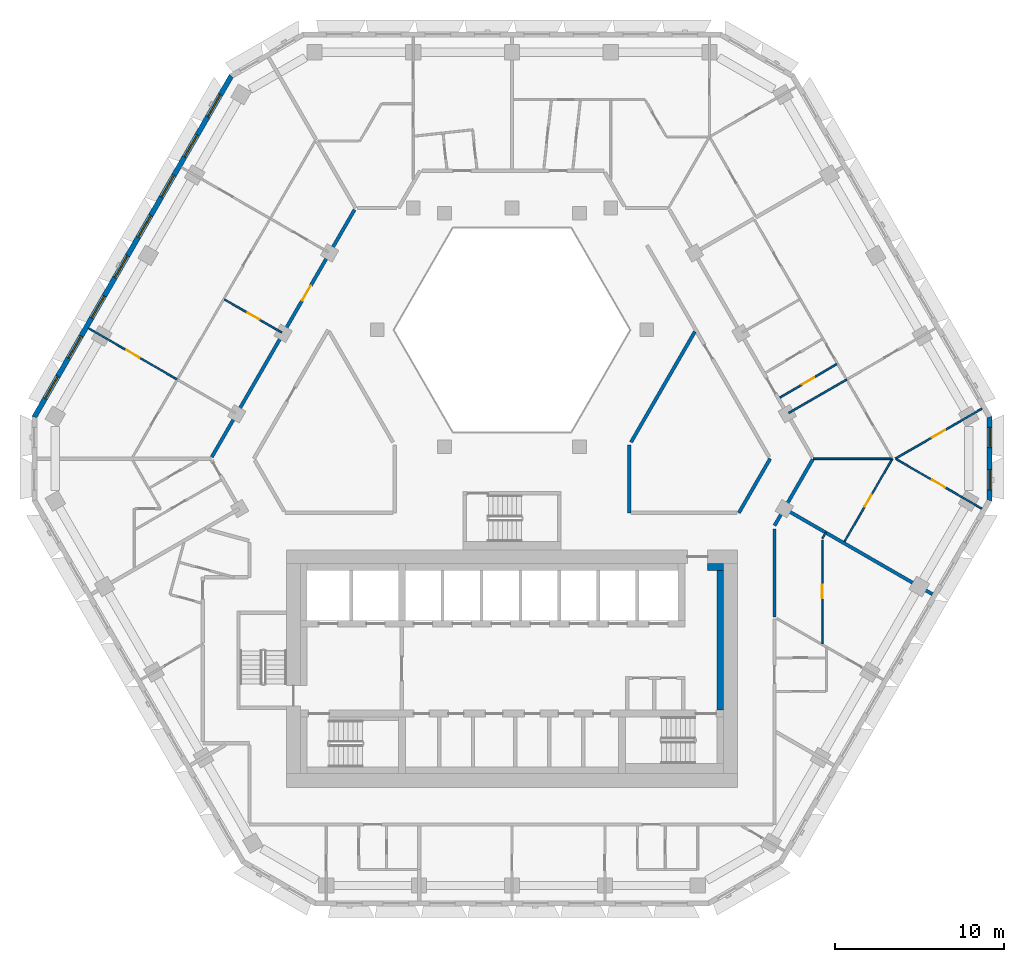
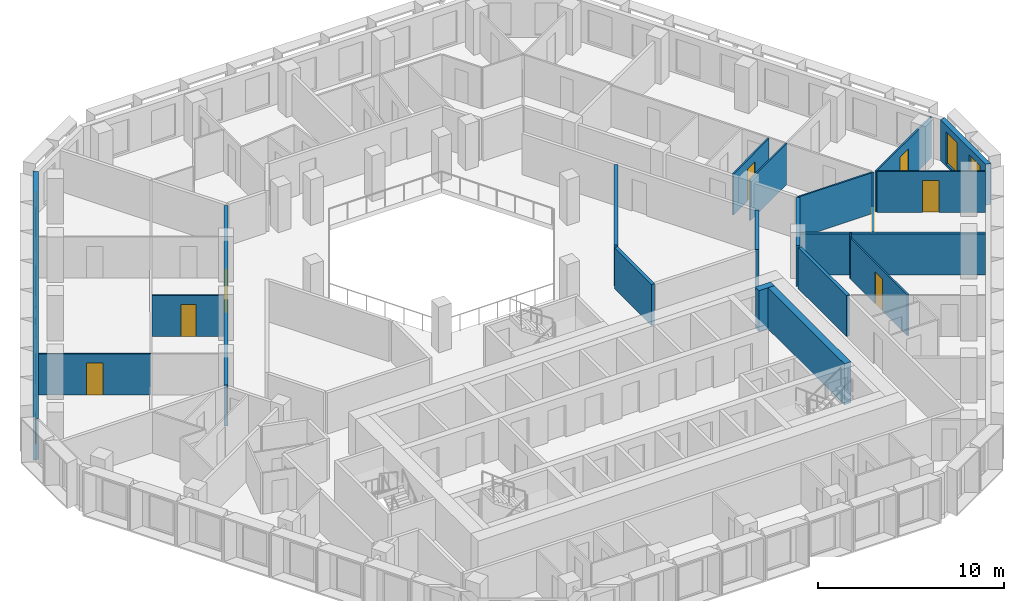
# One storey, part 7 of 18: 21 walls, 10 windows, 8 doors, 18 openings.
"""IFC4 building model written with IfcOpenShell, lengths in metres."""

from ifc_helpers import new_model, si_unit, direction, frame, frame_2d, origin, place, context, subcontext, project, spatial, polyline, rectangle, outline, extrude, material, layer, layer_set, type_object, element, fill, save


model = new_model("IFC4")

# Units and contexts
model_context = context("Model", 3, precision=1e-05, world=origin(), true_north=direction((0.0, 1.0)))
body_context = subcontext(model_context, "Body", "Model", "MODEL_VIEW")
ifc_project = project(units=[si_unit("LENGTHUNIT", "METRE"), si_unit("AREAUNIT", "SQUARE_METRE"), si_unit("VOLUMEUNIT", "CUBIC_METRE"), si_unit("PLANEANGLEUNIT", "RADIAN"), si_unit("MASSUNIT", "GRAM", prefix="KILO")], contexts=[model_context])

# Site, building, storey
site_placement = place(None, origin())
site = spatial("IfcSite", under=ifc_project, at=site_placement, CompositionType="ELEMENT")
building_placement = place(site_placement, origin())
building = spatial("IfcBuilding", under=site, at=building_placement, Name="Beryl Residences", CompositionType="ELEMENT")
storey_placement = place(building_placement, frame((0.0, 0.0, 138.60009765625)))
storey = spatial("IfcBuildingStorey", under=building, at=storey_placement, Name="L42", CompositionType="ELEMENT", Elevation=138.60009765625)

# Wall, openings, windows
ifc_material_1 = material(Name="Composite metal panel with mineral wool insulation")
ifc_layer_1 = layer(ifc_material_1, 0.300048828125)
ifc_layer_set_1 = layer_set([ifc_layer_1], Name="ES1 pale metal composite panel wall 300 mm")
wall_type_1 = type_object("IfcWallType", Name="ES1 pale metal composite panel wall 300 mm", PredefinedType="SOLIDWALL", material=ifc_layer_set_1)
wall_1_placement = place(storey_placement, frame((-16.554931640625, 23.02490234375, 0.0), z_axis=(0.0, 0.0, 1.0), x_axis=(-0.500020536353, -0.866013546791, 0.0)))
wall_1 = element("IfcWall", 1, at=wall_1_placement, inside=storey, type_object=wall_type_1, Name="ES1 external wall L42 NW", PredefinedType="SOLIDWALL", context=body_context, shape_type="SweptSolid", body=[
    extrude(outline(polyline([(0.0, -0.14990234375), (23.3251953125, -0.14990234375), (23.244873046875, 0.14990234375), (0.080322265625, 0.14990234375), (0.0, -0.14990234375)])), origin(), (0.0, 0.0, 1.0), 2.699951171875),
])
opening_1_placement = place(wall_1_placement, frame((1.31396484375, 0.0, 0.14990234375)))
opening_1 = element("IfcOpeningElement", 2, at=opening_1_placement, cuts=wall_1, Name="Opening W1", PredefinedType="OPENING", context=body_context, shape_type="SweptSolid", body=[
    extrude(rectangle(XDim=1.5, YDim=2.10009765625, at=frame_2d((0.75, 1.050048828125))), frame((0.0, 0.159912109375, 0.0), z_axis=(0.0, -1.0, 0.0), x_axis=(1.0, 0.0, 0.0)), (0.0, 0.0, 1.0), 0.320068359375),
])
opening_2_placement = place(wall_1_placement, frame((4.055908203125, 0.0, 0.14990234375)))
opening_2 = element("IfcOpeningElement", 3, at=opening_2_placement, cuts=wall_1, Name="Opening W1", PredefinedType="OPENING", context=body_context, shape_type="SweptSolid", body=[
    extrude(rectangle(XDim=1.5, YDim=2.10009765625, at=frame_2d((0.75, 1.050048828125))), frame((0.0, 0.159912109375, 0.0), z_axis=(0.0, -1.0, 0.0), x_axis=(1.0, 0.0, 0.0)), (0.0, 0.0, 1.0), 0.320068359375),
])
opening_3_placement = place(wall_1_placement, frame((6.799072265625, 0.0, 0.14990234375)))
opening_3 = element("IfcOpeningElement", 4, at=opening_3_placement, cuts=wall_1, Name="Opening W1", PredefinedType="OPENING", context=body_context, shape_type="SweptSolid", body=[
    extrude(rectangle(XDim=1.5, YDim=2.10009765625, at=frame_2d((0.75, 1.050048828125))), frame((0.0, 0.159912109375, 0.0), z_axis=(0.0, -1.0, 0.0), x_axis=(1.0, 0.0, 0.0)), (0.0, 0.0, 1.0), 0.320068359375),
])
opening_4_placement = place(wall_1_placement, frame((9.541015625, 0.0, 0.14990234375)))
opening_4 = element("IfcOpeningElement", 5, at=opening_4_placement, cuts=wall_1, Name="Opening W1", PredefinedType="OPENING", context=body_context, shape_type="SweptSolid", body=[
    extrude(rectangle(XDim=1.5, YDim=2.10009765625, at=frame_2d((0.75, 1.050048828125))), frame((0.0, 0.159912109375, 0.0), z_axis=(0.0, -1.0, 0.0), x_axis=(1.0, 0.0, 0.0)), (0.0, 0.0, 1.0), 0.320068359375),
])
opening_5_placement = place(wall_1_placement, frame((12.284912109375, 0.0, 0.14990234375)))
opening_5 = element("IfcOpeningElement", 6, at=opening_5_placement, cuts=wall_1, Name="Opening W1", PredefinedType="OPENING", context=body_context, shape_type="SweptSolid", body=[
    extrude(rectangle(XDim=1.5, YDim=2.10009765625, at=frame_2d((0.75, 1.050048828125))), frame((0.0, 0.159912109375, 0.0), z_axis=(0.0, -1.0, 0.0), x_axis=(1.0, 0.0, 0.0)), (0.0, 0.0, 1.0), 0.320068359375),
])
opening_6_placement = place(wall_1_placement, frame((15.027099609375, 0.0, 0.14990234375)))
opening_6 = element("IfcOpeningElement", 7, at=opening_6_placement, cuts=wall_1, Name="Opening W1", PredefinedType="OPENING", context=body_context, shape_type="SweptSolid", body=[
    extrude(rectangle(XDim=1.5, YDim=2.10009765625, at=frame_2d((0.75, 1.050048828125))), frame((0.0, 0.159912109375, 0.0), z_axis=(0.0, -1.0, 0.0), x_axis=(1.0, 0.0, 0.0)), (0.0, 0.0, 1.0), 0.320068359375),
])
opening_7_placement = place(wall_1_placement, frame((17.76904296875, 0.0, 0.14990234375)))
opening_7 = element("IfcOpeningElement", 8, at=opening_7_placement, cuts=wall_1, Name="Opening W1", PredefinedType="OPENING", context=body_context, shape_type="SweptSolid", body=[
    extrude(rectangle(XDim=1.5, YDim=2.10009765625, at=frame_2d((0.75, 1.050048828125))), frame((0.0, 0.159912109375, 0.0), z_axis=(0.0, -1.0, 0.0), x_axis=(1.0, 0.0, 0.0)), (0.0, 0.0, 1.0), 0.320068359375),
])
opening_8_placement = place(wall_1_placement, frame((20.511962890625, 0.0, 0.14990234375)))
opening_8 = element("IfcOpeningElement", 9, at=opening_8_placement, cuts=wall_1, Name="Opening W1", PredefinedType="OPENING", context=body_context, shape_type="SweptSolid", body=[
    extrude(rectangle(XDim=1.5, YDim=2.10009765625, at=frame_2d((0.75, 1.050048828125))), frame((0.0, 0.159912109375, 0.0), z_axis=(0.0, -1.0, 0.0), x_axis=(1.0, 0.0, 0.0)), (0.0, 0.0, 1.0), 0.320068359375),
])
ifc_material_2 = material(Name="Aluminium and clear glass", Category="aluminium")
window_type_1 = type_object("IfcWindowType", Name="W1 cell window 1500 x 2100 mm", PartitioningType="SINGLE_PANEL", PredefinedType="WINDOW", material=ifc_material_2)
window_1_placement = place(opening_1_placement, origin())
window_1 = element("IfcWindow", 10, at=window_1_placement, inside=storey, type_object=window_type_1, Name="W1 window L42 NW 1", OverallHeight=2.10009765625, OverallWidth=1.5, PartitioningType="SINGLE_PANEL", PredefinedType="WINDOW", context=body_context, shape_type="SweptSolid", body=[
    extrude(rectangle(XDim=1.5, YDim=2.10009765625, at=frame_2d((0.75, 1.050048828125))), frame((0.0, 0.030029296875, 0.0), z_axis=(0.0, -1.0, 0.0), x_axis=(1.0, 0.0, 0.0)), (0.0, 0.0, 1.0), 0.06005859375),
])
fill(opening_1, window_1)
window_2_placement = place(opening_2_placement, origin())
window_2 = element("IfcWindow", 11, at=window_2_placement, inside=storey, type_object=window_type_1, Name="W1 window L42 NW 2", OverallHeight=2.10009765625, OverallWidth=1.5, PartitioningType="SINGLE_PANEL", PredefinedType="WINDOW", context=body_context, shape_type="SweptSolid", body=[
    extrude(rectangle(XDim=1.5, YDim=2.10009765625, at=frame_2d((0.75, 1.050048828125))), frame((0.0, 0.030029296875, 0.0), z_axis=(0.0, -1.0, 0.0), x_axis=(1.0, 0.0, 0.0)), (0.0, 0.0, 1.0), 0.06005859375),
])
fill(opening_2, window_2)
window_3_placement = place(opening_3_placement, origin())
window_3 = element("IfcWindow", 12, at=window_3_placement, inside=storey, type_object=window_type_1, Name="W1 window L42 NW 3", OverallHeight=2.10009765625, OverallWidth=1.5, PartitioningType="SINGLE_PANEL", PredefinedType="WINDOW", context=body_context, shape_type="SweptSolid", body=[
    extrude(rectangle(XDim=1.5, YDim=2.10009765625, at=frame_2d((0.75, 1.050048828125))), frame((0.0, 0.030029296875, 0.0), z_axis=(0.0, -1.0, 0.0), x_axis=(1.0, 0.0, 0.0)), (0.0, 0.0, 1.0), 0.06005859375),
])
fill(opening_3, window_3)
window_4_placement = place(opening_4_placement, origin())
window_4 = element("IfcWindow", 13, at=window_4_placement, inside=storey, type_object=window_type_1, Name="W1 window L42 NW 4", OverallHeight=2.10009765625, OverallWidth=1.5, PartitioningType="SINGLE_PANEL", PredefinedType="WINDOW", context=body_context, shape_type="SweptSolid", body=[
    extrude(rectangle(XDim=1.5, YDim=2.10009765625, at=frame_2d((0.75, 1.050048828125))), frame((0.0, 0.030029296875, 0.0), z_axis=(0.0, -1.0, 0.0), x_axis=(1.0, 0.0, 0.0)), (0.0, 0.0, 1.0), 0.06005859375),
])
fill(opening_4, window_4)
window_5_placement = place(opening_5_placement, origin())
window_5 = element("IfcWindow", 14, at=window_5_placement, inside=storey, type_object=window_type_1, Name="W1 window L42 NW 5", OverallHeight=2.10009765625, OverallWidth=1.5, PartitioningType="SINGLE_PANEL", PredefinedType="WINDOW", context=body_context, shape_type="SweptSolid", body=[
    extrude(rectangle(XDim=1.5, YDim=2.10009765625, at=frame_2d((0.75, 1.050048828125))), frame((0.0, 0.030029296875, 0.0), z_axis=(0.0, -1.0, 0.0), x_axis=(1.0, 0.0, 0.0)), (0.0, 0.0, 1.0), 0.06005859375),
])
fill(opening_5, window_5)
window_6_placement = place(opening_6_placement, origin())
window_6 = element("IfcWindow", 15, at=window_6_placement, inside=storey, type_object=window_type_1, Name="W1 window L42 NW 6", OverallHeight=2.10009765625, OverallWidth=1.5, PartitioningType="SINGLE_PANEL", PredefinedType="WINDOW", context=body_context, shape_type="SweptSolid", body=[
    extrude(rectangle(XDim=1.5, YDim=2.10009765625, at=frame_2d((0.75, 1.050048828125))), frame((0.0, 0.030029296875, 0.0), z_axis=(0.0, -1.0, 0.0), x_axis=(1.0, 0.0, 0.0)), (0.0, 0.0, 1.0), 0.06005859375),
])
fill(opening_6, window_6)
window_7_placement = place(opening_7_placement, origin())
window_7 = element("IfcWindow", 16, at=window_7_placement, inside=storey, type_object=window_type_1, Name="W1 window L42 NW 7", OverallHeight=2.10009765625, OverallWidth=1.5, PartitioningType="SINGLE_PANEL", PredefinedType="WINDOW", context=body_context, shape_type="SweptSolid", body=[
    extrude(rectangle(XDim=1.5, YDim=2.10009765625, at=frame_2d((0.75, 1.050048828125))), frame((0.0, 0.030029296875, 0.0), z_axis=(0.0, -1.0, 0.0), x_axis=(1.0, 0.0, 0.0)), (0.0, 0.0, 1.0), 0.06005859375),
])
fill(opening_7, window_7)
window_8_placement = place(opening_8_placement, origin())
window_8 = element("IfcWindow", 17, at=window_8_placement, inside=storey, type_object=window_type_1, Name="W1 window L42 NW 8", OverallHeight=2.10009765625, OverallWidth=1.5, PartitioningType="SINGLE_PANEL", PredefinedType="WINDOW", context=body_context, shape_type="SweptSolid", body=[
    extrude(rectangle(XDim=1.5, YDim=2.10009765625, at=frame_2d((0.75, 1.050048828125))), frame((0.0, 0.030029296875, 0.0), z_axis=(0.0, -1.0, 0.0), x_axis=(1.0, 0.0, 0.0)), (0.0, 0.0, 1.0), 0.06005859375),
])
fill(opening_8, window_8)

wall_2_placement = place(storey_placement, frame((28.197998046875, -2.10009765625, 0.0), z_axis=(0.0, 0.0, 1.0), x_axis=(0.0, 1.0, 0.0)))
wall_2 = element("IfcWall", 18, at=wall_2_placement, inside=storey, type_object=wall_type_1, Name="ES1 external wall L42 SE-NE", PredefinedType="SOLIDWALL", context=body_context, shape_type="SweptSolid", body=[
    extrude(outline(polyline([(0.0, -0.14990234375), (5.0, -0.14990234375), (4.919677734375, 0.14990234375), (0.080322265625, 0.14990234375), (0.0, -0.14990234375)])), origin(), (0.0, 0.0, 1.0), 2.699951171875),
])
opening_9_placement = place(wall_2_placement, frame((0.64990234375, 0.0, 0.14990234375)))
opening_9 = element("IfcOpeningElement", 19, at=opening_9_placement, cuts=wall_2, Name="Opening W2", PredefinedType="OPENING", context=body_context, shape_type="SweptSolid", body=[
    extrude(rectangle(XDim=1.199951171875, YDim=2.10009765625, at=frame_2d((0.60009765625, 1.050048828125))), frame((0.0, 0.159912109375, 0.0), z_axis=(0.0, -1.0, 0.0), x_axis=(1.0, 0.0, 0.0)), (0.0, 0.0, 1.0), 0.320068359375),
])
opening_10_placement = place(wall_2_placement, frame((3.14990234375, 0.0, 0.14990234375)))
opening_10 = element("IfcOpeningElement", 20, at=opening_10_placement, cuts=wall_2, Name="Opening W2", PredefinedType="OPENING", context=body_context, shape_type="SweptSolid", body=[
    extrude(rectangle(XDim=1.199951171875, YDim=2.10009765625, at=frame_2d((0.60009765625, 1.050048828125))), frame((0.0, 0.159912109375, 0.0), z_axis=(0.0, -1.0, 0.0), x_axis=(1.0, 0.0, 0.0)), (0.0, 0.0, 1.0), 0.320068359375),
])
ifc_material_3 = material(Name="Aluminium and clear glass", Category="aluminium")
window_type_2 = type_object("IfcWindowType", Name="W2 chamfer window 1200 x 2100 mm", PartitioningType="SINGLE_PANEL", PredefinedType="WINDOW", material=ifc_material_3)
window_9_placement = place(opening_9_placement, origin())
window_9 = element("IfcWindow", 21, at=window_9_placement, inside=storey, type_object=window_type_2, Name="W2 window L42 SE-NE 1", OverallHeight=2.10009765625, OverallWidth=1.199951171875, PartitioningType="SINGLE_PANEL", PredefinedType="WINDOW", context=body_context, shape_type="SweptSolid", body=[
    extrude(rectangle(XDim=1.199951171875, YDim=2.10009765625, at=frame_2d((0.60009765625, 1.050048828125))), frame((0.0, 0.030029296875, 0.0), z_axis=(0.0, -1.0, 0.0), x_axis=(1.0, 0.0, 0.0)), (0.0, 0.0, 1.0), 0.06005859375),
])
fill(opening_9, window_9)
window_10_placement = place(opening_10_placement, origin())
window_10 = element("IfcWindow", 22, at=window_10_placement, inside=storey, type_object=window_type_2, Name="W2 window L42 SE-NE 2", OverallHeight=2.10009765625, OverallWidth=1.199951171875, PartitioningType="SINGLE_PANEL", PredefinedType="WINDOW", context=body_context, shape_type="SweptSolid", body=[
    extrude(rectangle(XDim=1.199951171875, YDim=2.10009765625, at=frame_2d((0.60009765625, 1.050048828125))), frame((0.0, 0.030029296875, 0.0), z_axis=(0.0, -1.0, 0.0), x_axis=(1.0, 0.0, 0.0)), (0.0, 0.0, 1.0), 0.06005859375),
])
fill(opening_10, window_10)

# Wall, opening, door
ifc_material_4 = material(Name="Gypsum board partition on steel studs", Category="steel")
ifc_layer_2 = layer(ifc_material_4, 0.10009765625)
ifc_layer_set_2 = layer_set([ifc_layer_2], Name="PT1 partition 100 mm gypsum board on steel studs")
wall_type_2 = type_object("IfcWallType", Name="PT1 partition 100 mm gypsum board on steel studs", PredefinedType="PARTITIONING", material=ifc_layer_set_2)
wall_3_placement = place(storey_placement, frame((18.324951171875, -4.408935546875, 0.0), z_axis=(0.0, 0.0, 1.0), x_axis=(0.0, -1.0, 0.0)))
wall_3 = element("IfcWall", 23, at=wall_3_placement, inside=storey, type_object=wall_type_2, Name="Wall PT1 L42 010", PredefinedType="PARTITIONING", context=body_context, shape_type="SweptSolid", body=[
    extrude(rectangle(XDim=6.114990234375, YDim=0.10009765625, at=frame_2d((3.0576171875, 0.0))), origin(), (0.0, 0.0, 1.0), 2.699951171875),
])
opening_11_placement = place(wall_3_placement, frame((2.635986328125, 0.0, 0.0)))
opening_11 = element("IfcOpeningElement", 24, at=opening_11_placement, cuts=wall_3, Name="Opening D1119", PredefinedType="OPENING", context=body_context, shape_type="SweptSolid", body=[
    extrude(rectangle(XDim=0.800048828125, YDim=2.10009765625, at=frame_2d((0.39990234375, 1.050048828125))), frame((0.0, 0.06005859375, 0.0), z_axis=(0.0, -1.0, 0.0), x_axis=(1.0, 0.0, 0.0)), (0.0, 0.0, 1.0), 0.1201171875),
])
ifc_material_5 = material(Name="Timber door leaf", Category="wood")
door_type_1 = type_object("IfcDoorType", Name="D3 bathroom door 800 x 2100 mm", OperationType="SINGLE_SWING_LEFT", PredefinedType="DOOR", material=ifc_material_5)
door_1_placement = place(opening_11_placement, origin())
door_1 = element("IfcDoor", 25, at=door_1_placement, inside=storey, type_object=door_type_1, Name="Door D1119 L42 001", OperationType="SINGLE_SWING_LEFT", OverallHeight=2.10009765625, OverallWidth=0.800048828125, PredefinedType="DOOR", context=body_context, shape_type="SweptSolid", body=[
    extrude(rectangle(XDim=0.800048828125, YDim=2.10009765625, at=frame_2d((0.39990234375, 1.050048828125))), frame((0.0, 0.02490234375, 0.0), z_axis=(0.0, -1.0, 0.0), x_axis=(1.0, 0.0, 0.0)), (0.0, 0.0, 1.0), 0.050048828125),
])
fill(opening_11, door_1)

wall_4_placement = place(storey_placement, frame((-24.9990234375, 8.10009765625, 0.0), z_axis=(0.0, 0.0, 1.0), x_axis=(0.865978029808, -0.500082045158, 0.0)))
wall_4 = element("IfcWall", 26, at=wall_4_placement, inside=storey, type_object=wall_type_2, Name="Wall PT1 L42 013", PredefinedType="PARTITIONING", context=body_context, shape_type="SweptSolid", body=[
    extrude(rectangle(XDim=6.05322265625, YDim=0.10009765625, at=frame_2d((3.026611328125, 0.0))), origin(), (0.0, 0.0, 1.0), 2.699951171875),
])
opening_12_placement = place(wall_4_placement, frame((2.576904296875, 0.0, 0.0)))
opening_12 = element("IfcOpeningElement", 27, at=opening_12_placement, cuts=wall_4, Name="Opening D1147", PredefinedType="OPENING", context=body_context, shape_type="SweptSolid", body=[
    extrude(rectangle(XDim=0.89990234375, YDim=2.10009765625, at=frame_2d((0.449951171875, 1.050048828125))), frame((0.0, 0.06005859375, 0.0), z_axis=(0.0, -1.0, 0.0), x_axis=(1.0, 0.0, 0.0)), (0.0, 0.0, 1.0), 0.1201171875),
])
ifc_material_6 = material(Name="Timber door leaf", Category="wood")
door_type_2 = type_object("IfcDoorType", Name="D2 room door 900 x 2100 mm", OperationType="SINGLE_SWING_LEFT", PredefinedType="DOOR", material=ifc_material_6)
door_2_placement = place(opening_12_placement, origin())
door_2 = element("IfcDoor", 28, at=door_2_placement, inside=storey, type_object=door_type_2, Name="Door D1147 L42 001", OperationType="SINGLE_SWING_LEFT", OverallHeight=2.10009765625, OverallWidth=0.89990234375, PredefinedType="DOOR", context=body_context, shape_type="SweptSolid", body=[
    extrude(rectangle(XDim=0.89990234375, YDim=2.10009765625, at=frame_2d((0.449951171875, 1.050048828125))), frame((0.0, 0.02490234375, 0.0), z_axis=(0.0, -1.0, 0.0), x_axis=(1.0, 0.0, 0.0)), (0.0, 0.0, 1.0), 0.050048828125),
])
fill(opening_12, door_2)

wall_5_placement = place(storey_placement, frame((-16.970947265625, 9.798095703125, 0.0), z_axis=(0.0, 0.0, 1.0), x_axis=(0.866087525071, -0.499892387336, 0.0)))
wall_5 = element("IfcWall", 29, at=wall_5_placement, inside=storey, type_object=wall_type_2, Name="Wall PT1 L42 015", PredefinedType="PARTITIONING", context=body_context, shape_type="SweptSolid", body=[
    extrude(rectangle(XDim=3.896728515625, YDim=0.10009765625, at=frame_2d((1.9482421875, 0.0))), origin(), (0.0, 0.0, 1.0), 2.699951171875),
])
opening_13_placement = place(wall_5_placement, frame((1.573974609375, 0.0, 0.0)))
opening_13 = element("IfcOpeningElement", 30, at=opening_13_placement, cuts=wall_5, Name="Opening D1146", PredefinedType="OPENING", context=body_context, shape_type="SweptSolid", body=[
    extrude(rectangle(XDim=0.800048828125, YDim=2.10009765625, at=frame_2d((0.39990234375, 1.050048828125))), frame((0.0, 0.06005859375, 0.0), z_axis=(0.0, -1.0, 0.0), x_axis=(1.0, 0.0, 0.0)), (0.0, 0.0, 1.0), 0.1201171875),
])
door_3_placement = place(opening_13_placement, origin())
door_3 = element("IfcDoor", 31, at=door_3_placement, inside=storey, type_object=door_type_1, Name="Door D1146 L42 001", OperationType="SINGLE_SWING_RIGHT", OverallHeight=2.10009765625, OverallWidth=0.800048828125, PredefinedType="DOOR", context=body_context, shape_type="SweptSolid", body=[
    extrude(rectangle(XDim=0.800048828125, YDim=2.10009765625, at=frame_2d((0.39990234375, 1.050048828125))), frame((0.0, 0.02490234375, 0.0), z_axis=(0.0, -1.0, 0.0), x_axis=(1.0, 0.0, 0.0)), (0.0, 0.0, 1.0), 0.050048828125),
])
fill(opening_13, door_3)

wall_6_placement = place(storey_placement, frame((22.678955078125, 0.3720703125, 0.0), z_axis=(0.0, 0.0, 1.0), x_axis=(0.865985260119, -0.500069524424, 0.0)))
wall_6 = element("IfcWall", 32, at=wall_6_placement, inside=storey, type_object=wall_type_2, Name="Wall PT1 L42 018", PredefinedType="PARTITIONING", context=body_context, shape_type="SweptSolid", body=[
    extrude(rectangle(XDim=5.845458984375, YDim=0.10009765625, at=frame_2d((2.9228515625, 0.0))), origin(), (0.0, 0.0, 1.0), 2.699951171875),
])
opening_14_placement = place(wall_6_placement, frame((2.444091796875, 0.0, 0.0)))
opening_14 = element("IfcOpeningElement", 33, at=opening_14_placement, cuts=wall_6, Name="Opening D1128", PredefinedType="OPENING", context=body_context, shape_type="SweptSolid", body=[
    extrude(rectangle(XDim=0.89990234375, YDim=2.10009765625, at=frame_2d((0.449951171875, 1.050048828125))), frame((0.0, 0.06005859375, 0.0), z_axis=(0.0, -1.0, 0.0), x_axis=(1.0, 0.0, 0.0)), (0.0, 0.0, 1.0), 0.1201171875),
])
door_4_placement = place(opening_14_placement, origin())
door_4 = element("IfcDoor", 34, at=door_4_placement, inside=storey, type_object=door_type_2, Name="Door D1128 L42 001", OperationType="SINGLE_SWING_RIGHT", OverallHeight=2.10009765625, OverallWidth=0.89990234375, PredefinedType="DOOR", context=body_context, shape_type="SweptSolid", body=[
    extrude(rectangle(XDim=0.89990234375, YDim=2.10009765625, at=frame_2d((0.449951171875, 1.050048828125))), frame((0.0, 0.02490234375, 0.0), z_axis=(0.0, -1.0, 0.0), x_axis=(1.0, 0.0, 0.0)), (0.0, 0.0, 1.0), 0.050048828125),
])
fill(opening_14, door_4)

# Walls
wall_7_placement = place(storey_placement, frame((17.781982421875, 0.40087890625, 0.0), z_axis=(0.0, 0.0, 1.0), x_axis=(1.0, 0.0, 0.0)))
element("IfcWall", 35, at=wall_7_placement, inside=storey, type_object=wall_type_2, Name="Wall PT1 L42 024", PredefinedType="PARTITIONING", context=body_context, shape_type="SweptSolid", body=[
    extrude(rectangle(XDim=4.615966796875, YDim=0.10009765625, at=frame_2d((2.30810546875, 0.0))), origin(), (0.0, 0.0, 1.0), 2.699951171875),
])
wall_8_placement = place(storey_placement, frame((18.324951171875, -4.30908203125, 0.0), z_axis=(0.0, 0.0, 1.0), x_axis=(0.5014706583, 0.865174652232, 0.0)))
element("IfcWall", 36, at=wall_8_placement, inside=storey, type_object=wall_type_2, Name="Wall PT1 L42 030", PredefinedType="PARTITIONING", context=body_context, shape_type="SweptSolid", body=[
    extrude(rectangle(XDim=0.398681640625, YDim=0.10009765625, at=frame_2d((0.19921875, 0.0))), origin(), (0.0, 0.0, 1.0), 2.699951171875),
])

# Wall, opening, door
wall_9_placement = place(storey_placement, frame((19.633056640625, -4.488037109375, 0.0), z_axis=(0.0, 0.0, 1.0), x_axis=(0.500050624552, 0.865996173713, 0.0)))
wall_9 = element("IfcWall", 37, at=wall_9_placement, inside=storey, type_object=wall_type_2, Name="Wall PT1 L42 031", PredefinedType="PARTITIONING", context=body_context, shape_type="SweptSolid", body=[
    extrude(rectangle(XDim=5.6455078125, YDim=0.10009765625, at=frame_2d((2.82275390625, 0.0))), origin(), (0.0, 0.0, 1.0), 2.699951171875),
])
opening_15_placement = place(wall_9_placement, frame((2.3720703125, 0.0, 0.0)))
opening_15 = element("IfcOpeningElement", 38, at=opening_15_placement, cuts=wall_9, Name="Opening D1129", PredefinedType="OPENING", context=body_context, shape_type="SweptSolid", body=[
    extrude(rectangle(XDim=0.800048828125, YDim=2.10009765625, at=frame_2d((0.39990234375, 1.050048828125))), frame((0.0, 0.06005859375, 0.0), z_axis=(0.0, -1.0, 0.0), x_axis=(1.0, 0.0, 0.0)), (0.0, 0.0, 1.0), 0.1201171875),
])
door_5_placement = place(opening_15_placement, origin())
door_5 = element("IfcDoor", 39, at=door_5_placement, inside=storey, type_object=door_type_1, Name="Door D1129 L42 001", OperationType="SINGLE_SWING_LEFT", OverallHeight=2.10009765625, OverallWidth=0.800048828125, PredefinedType="DOOR", context=body_context, shape_type="SweptSolid", body=[
    extrude(rectangle(XDim=0.800048828125, YDim=2.10009765625, at=frame_2d((0.39990234375, 1.050048828125))), frame((0.0, 0.02490234375, 0.0), z_axis=(0.0, -1.0, 0.0), x_axis=(1.0, 0.0, 0.0)), (0.0, 0.0, 1.0), 0.050048828125),
])
fill(opening_15, door_5)

# Wall
wall_10_placement = place(storey_placement, frame((16.339111328125, 3.10009765625, 0.0), z_axis=(0.0, 0.0, 1.0), x_axis=(0.866031112038, 0.499990112884, 0.0)))
element("IfcWall", 40, at=wall_10_placement, inside=storey, type_object=wall_type_2, Name="Wall PT1 L42 050", PredefinedType="PARTITIONING", context=body_context, shape_type="SweptSolid", body=[
    extrude(rectangle(XDim=3.94775390625, YDim=0.10009765625, at=frame_2d((1.973876953125, 0.0))), origin(), (0.0, 0.0, 1.0), 2.699951171875),
])

# Wall, opening, door
wall_11_placement = place(storey_placement, frame((22.634033203125, 0.40087890625, 0.0), z_axis=(0.0, 0.0, 1.0), x_axis=(0.86601325737, 0.500021037617, 0.0)))
wall_11 = element("IfcWall", 41, at=wall_11_placement, inside=storey, type_object=wall_type_2, Name="Wall PT1 L42 051", PredefinedType="PARTITIONING", context=body_context, shape_type="SweptSolid", body=[
    extrude(rectangle(XDim=5.898193359375, YDim=0.10009765625, at=frame_2d((2.94921875, 0.0))), origin(), (0.0, 0.0, 1.0), 2.699951171875),
])
opening_16_placement = place(wall_11_placement, frame((2.4990234375, 0.0, 0.0)))
opening_16 = element("IfcOpeningElement", 42, at=opening_16_placement, cuts=wall_11, Name="Opening D1126", PredefinedType="OPENING", context=body_context, shape_type="SweptSolid", body=[
    extrude(rectangle(XDim=0.89990234375, YDim=2.10009765625, at=frame_2d((0.449951171875, 1.050048828125))), frame((0.0, 0.06005859375, 0.0), z_axis=(0.0, -1.0, 0.0), x_axis=(1.0, 0.0, 0.0)), (0.0, 0.0, 1.0), 0.1201171875),
])
door_6_placement = place(opening_16_placement, origin())
door_6 = element("IfcDoor", 43, at=door_6_placement, inside=storey, type_object=door_type_2, Name="Door D1126 L42 001", OperationType="SINGLE_SWING_RIGHT", OverallHeight=2.10009765625, OverallWidth=0.89990234375, PredefinedType="DOOR", context=body_context, shape_type="SweptSolid", body=[
    extrude(rectangle(XDim=0.89990234375, YDim=2.10009765625, at=frame_2d((0.449951171875, 1.050048828125))), frame((0.0, 0.02490234375, 0.0), z_axis=(0.0, -1.0, 0.0), x_axis=(1.0, 0.0, 0.0)), (0.0, 0.0, 1.0), 0.050048828125),
])
fill(opening_16, door_6)

wall_12_placement = place(storey_placement, frame((15.818115234375, 4.001953125, 0.0), z_axis=(0.0, 0.0, 1.0), x_axis=(0.860457323494, 0.509522516132, 0.0)))
wall_12 = element("IfcWall", 44, at=wall_12_placement, inside=storey, type_object=wall_type_2, Name="Wall PT1 L42 057", PredefinedType="PARTITIONING", context=body_context, shape_type="SweptSolid", body=[
    extrude(rectangle(XDim=3.89794921875, YDim=0.10009765625, at=frame_2d((1.948974609375, 0.0))), origin(), (0.0, 0.0, 1.0), 2.699951171875),
])
opening_17_placement = place(wall_12_placement, frame((1.52392578125, 0.0, 0.0)))
opening_17 = element("IfcOpeningElement", 45, at=opening_17_placement, cuts=wall_12, Name="Opening D1121", PredefinedType="OPENING", context=body_context, shape_type="SweptSolid", body=[
    extrude(rectangle(XDim=0.800048828125, YDim=2.10009765625, at=frame_2d((0.39990234375, 1.050048828125))), frame((0.0, 0.06005859375, 0.0), z_axis=(0.0, -1.0, 0.0), x_axis=(1.0, 0.0, 0.0)), (0.0, 0.0, 1.0), 0.1201171875),
])
door_7_placement = place(opening_17_placement, origin())
door_7 = element("IfcDoor", 46, at=door_7_placement, inside=storey, type_object=door_type_1, Name="Door D1121 L42 001", OperationType="SINGLE_SWING_LEFT", OverallHeight=2.10009765625, OverallWidth=0.800048828125, PredefinedType="DOOR", context=body_context, shape_type="SweptSolid", body=[
    extrude(rectangle(XDim=0.800048828125, YDim=2.10009765625, at=frame_2d((0.39990234375, 1.050048828125))), frame((0.0, 0.02490234375, 0.0), z_axis=(0.0, -1.0, 0.0), x_axis=(1.0, 0.0, 0.0)), (0.0, 0.0, 1.0), 0.050048828125),
])
fill(opening_17, door_7)

# Walls
ifc_material_7 = material(Name="Concrete masonry", Category="masonry")
ifc_layer_3 = layer(ifc_material_7, 0.39990234375)
ifc_layer_set_3 = layer_set([ifc_layer_3], Name="PT13-400 lobby wall 400 mm")
wall_type_3 = type_object("IfcWallType", Name="PT13-400 lobby wall 400 mm", PredefinedType="PARTITIONING", material=ifc_layer_set_3)
wall_13_placement = place(storey_placement, frame((11.550048828125, -6.0, 0.0), z_axis=(0.0, 0.0, 1.0), x_axis=(1.0, 0.0, 0.0)))
element("IfcWall", 47, at=wall_13_placement, inside=storey, type_object=wall_type_3, Name="Lobby wall 30", PredefinedType="PARTITIONING", context=body_context, shape_type="SweptSolid", body=[
    extrude(rectangle(XDim=0.949951171875, YDim=0.39990234375, at=frame_2d((0.47509765625, 0.0))), origin(), (0.0, 0.0, 1.0), 2.699951171875),
])
wall_14_placement = place(storey_placement, frame((12.300048828125, -14.449951171875, 0.0), z_axis=(0.0, 0.0, 1.0), x_axis=(0.0, 1.0, 0.0)))
element("IfcWall", 48, at=wall_14_placement, inside=storey, type_object=wall_type_3, Name="Lobby wall 32", PredefinedType="PARTITIONING", context=body_context, shape_type="SweptSolid", body=[
    extrude(rectangle(XDim=8.25, YDim=0.39990234375, at=frame_2d((4.125, 0.0))), origin(), (0.0, 0.0, 1.0), 2.699951171875),
])
ifc_material_8 = material(Name="Acoustic double stud gypsum board wall")
ifc_layer_4 = layer(ifc_material_8, 0.199951171875)
ifc_layer_set_4 = layer_set([ifc_layer_4], Name="PT3 party wall 200 mm acoustic double stud")
wall_type_4 = type_object("IfcWallType", Name="PT3 party wall 200 mm acoustic double stud", PredefinedType="PARTITIONING", material=ifc_layer_set_4)
wall_15_placement = place(storey_placement, frame((16.1650390625, -2.60107421875, 0.0), z_axis=(0.0, 0.0, 1.0), x_axis=(0.866016855193, -0.500014806302, 0.0)))
element("IfcWall", 49, at=wall_15_placement, inside=storey, type_object=wall_type_4, Name="Wall PT3 L42 006", PredefinedType="PARTITIONING", context=body_context, shape_type="SweptSolid", body=[
    extrude(rectangle(XDim=9.999755859375, YDim=0.199951171875, at=frame_2d((5.0, 0.0))), origin(), (0.0, 0.0, 1.0), 2.699951171875),
])
ifc_material_9 = material(Name="Double stud gypsum board wall")
ifc_layer_5 = layer(ifc_material_9, 0.199951171875)
ifc_layer_set_5 = layer_set([ifc_layer_5], Name="PT4 corridor wall 200 mm double stud")
wall_type_5 = type_object("IfcWallType", Name="PT4 corridor wall 200 mm double stud", PredefinedType="PARTITIONING", material=ifc_layer_set_5)
wall_16_placement = place(storey_placement, frame((15.5, -3.751953125, 0.0), z_axis=(0.0, 0.0, 1.0), x_axis=(0.0, -1.0, 0.0)))
element("IfcWall", 50, at=wall_16_placement, inside=storey, type_object=wall_type_5, Name="Wall PT4 L42 009", PredefinedType="PARTITIONING", context=body_context, shape_type="SweptSolid", body=[
    extrude(rectangle(XDim=5.197998046875, YDim=0.199951171875, at=frame_2d((2.59912109375, 0.0))), origin(), (0.0, 0.0, 1.0), 2.699951171875),
])
wall_17_placement = place(storey_placement, frame((7.028076171875, 1.373046875, 0.0), z_axis=(0.0, 0.0, 1.0), x_axis=(0.499954271211, 0.866051803703, 0.0)))
element("IfcWall", 51, at=wall_17_placement, inside=storey, type_object=wall_type_5, Name="Wall PT4 L42 018", PredefinedType="PARTITIONING", context=body_context, shape_type="SweptSolid", body=[
    extrude(rectangle(XDim=7.536376953125, YDim=0.199951171875, at=frame_2d((3.76806640625, 0.0))), origin(), (0.0, 0.0, 1.0), 2.699951171875),
])
wall_18_placement = place(storey_placement, frame((13.39404296875, -2.800048828125, 0.0), z_axis=(0.0, 0.0, 1.0), x_axis=(0.499968324138, 0.866043691079, 0.0)))
element("IfcWall", 52, at=wall_18_placement, inside=storey, type_object=wall_type_5, Name="Wall PT4 L42 019", PredefinedType="PARTITIONING", context=body_context, shape_type="SweptSolid", body=[
    extrude(rectangle(XDim=3.696044921875, YDim=0.199951171875, at=frame_2d((1.84814453125, 0.0))), origin(), (0.0, 0.0, 1.0), 2.699951171875),
])
wall_19_placement = place(storey_placement, frame((15.5, -3.552001953125, 0.0), z_axis=(0.0, 0.0, 1.0), x_axis=(0.499914724673, 0.86607463192, 0.0)))
element("IfcWall", 53, at=wall_19_placement, inside=storey, type_object=wall_type_5, Name="Wall PT4 L42 020", PredefinedType="PARTITIONING", context=body_context, shape_type="SweptSolid", body=[
    extrude(rectangle(XDim=4.506591796875, YDim=0.199951171875, at=frame_2d((2.25341796875, 0.0))), origin(), (0.0, 0.0, 1.0), 2.699951171875),
])

# Wall, opening, door
wall_20_placement = place(storey_placement, frame((-17.72412109375, 0.5, 0.0), z_axis=(0.0, 0.0, 1.0), x_axis=(0.499992388462, 0.866029798263, 0.0)))
wall_20 = element("IfcWall", 54, at=wall_20_placement, inside=storey, type_object=wall_type_5, Name="Wall PT4 L42 023", PredefinedType="PARTITIONING", context=body_context, shape_type="SweptSolid", body=[
    extrude(rectangle(XDim=16.858642578125, YDim=0.199951171875, at=frame_2d((8.42919921875, 0.0))), origin(), (0.0, 0.0, 1.0), 2.699951171875),
])
opening_18_placement = place(wall_20_placement, frame((10.672119140625, 0.0, 0.0)))
opening_18 = element("IfcOpeningElement", 55, at=opening_18_placement, cuts=wall_20, Name="Opening D1143", PredefinedType="OPENING", context=body_context, shape_type="SweptSolid", body=[
    extrude(rectangle(XDim=1.0, YDim=2.10009765625, at=frame_2d((0.5, 1.050048828125))), frame((0.0, 0.10986328125, 0.0), z_axis=(0.0, -1.0, 0.0), x_axis=(1.0, 0.0, 0.0)), (0.0, 0.0, 1.0), 0.219970703125),
])
ifc_material_10 = material(Name="Timber door leaf", Category="wood")
door_type_3 = type_object("IfcDoorType", Name="D1 flat entrance door 1000 x 2100 mm", OperationType="SINGLE_SWING_LEFT", PredefinedType="DOOR", material=ifc_material_10)
door_8_placement = place(opening_18_placement, origin())
door_8 = element("IfcDoor", 56, at=door_8_placement, inside=storey, type_object=door_type_3, Name="Door D1143 L42 001", OperationType="SINGLE_SWING_LEFT", OverallHeight=2.10009765625, OverallWidth=1.0, PredefinedType="DOOR", context=body_context, shape_type="SweptSolid", body=[
    extrude(rectangle(XDim=1.0, YDim=2.10009765625, at=frame_2d((0.5, 1.050048828125))), frame((0.0, 0.02490234375, 0.0), z_axis=(0.0, -1.0, 0.0), x_axis=(1.0, 0.0, 0.0)), (0.0, 0.0, 1.0), 0.050048828125),
])
fill(opening_18, door_8)

# Wall
wall_21_placement = place(storey_placement, frame((6.927978515625, -2.800048828125, 0.0), z_axis=(0.0, 0.0, 1.0), x_axis=(0.0, 1.0, 0.0)))
element("IfcWall", 57, at=wall_21_placement, inside=storey, type_object=wall_type_5, Name="Wall PT4 L42 024", PredefinedType="PARTITIONING", context=body_context, shape_type="SweptSolid", body=[
    extrude(rectangle(XDim=4.0, YDim=0.199951171875, at=frame_2d((2.0, 0.0))), origin(), (0.0, 0.0, 1.0), 2.699951171875),
])

save(model, "model.ifc")
